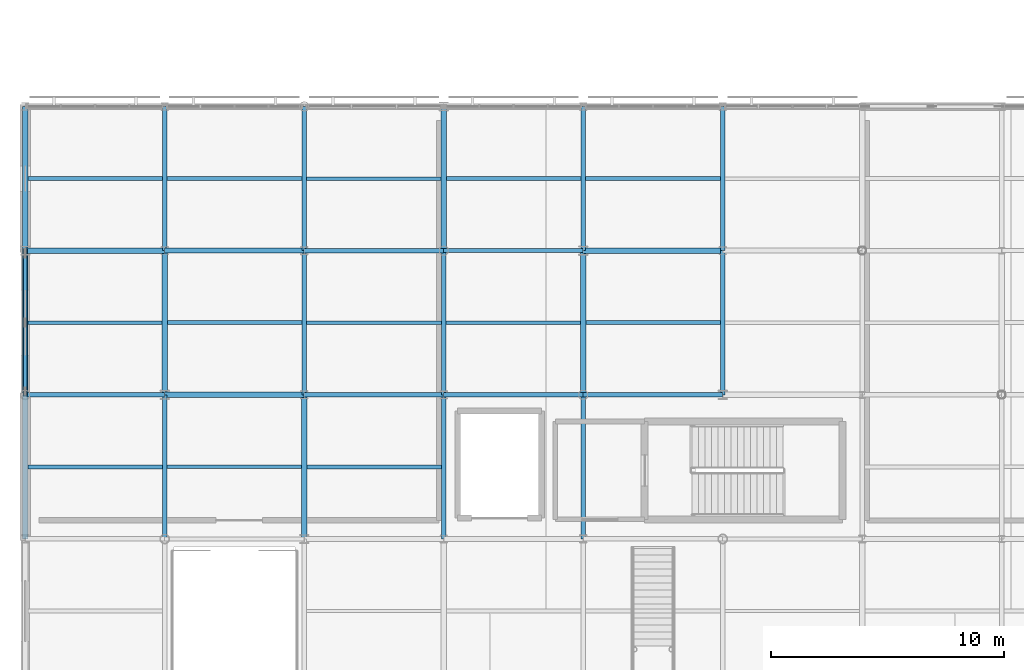
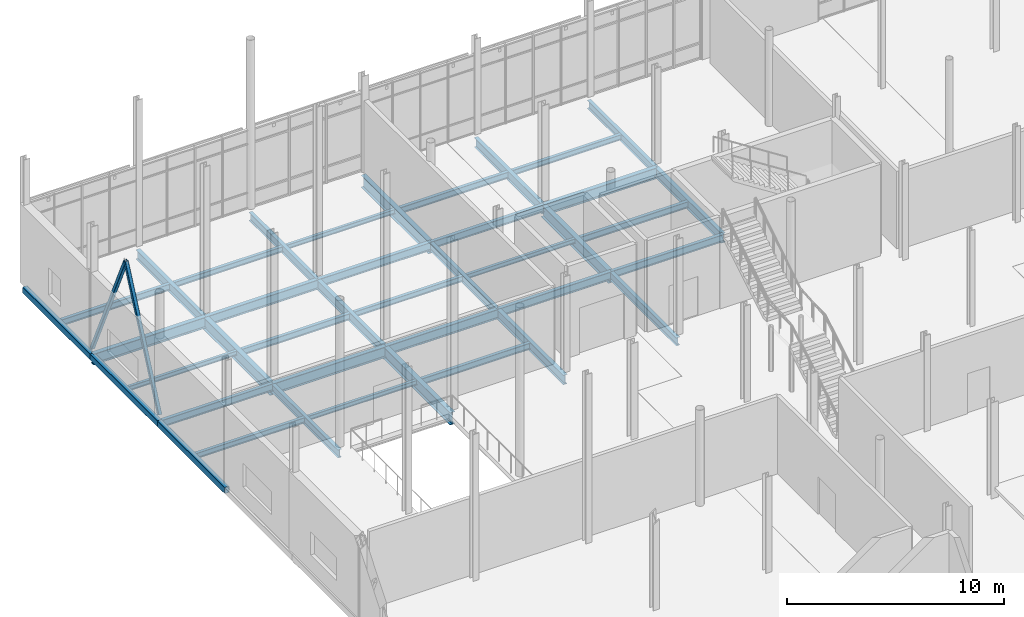
# One storey, part 33 of 105: 40 beams, 2 members.
"""IFC4 building model written with IfcOpenShell, lengths in metres."""

from ifc_helpers import new_model, si_unit, direction, frame, origin, origin_2d, place, context, subcontext, project, spatial, hollow_rectangle, i_section, extrude, material, material_profile, profile_set, type_object, element, save


model = new_model("IFC4")

# Units and contexts
model_context = context("Model", 3, precision=1e-05, world=origin(), true_north=direction((0.0, 1.0)))
body_context = subcontext(model_context, "Body", "Model", "MODEL_VIEW")
ifc_project = project(units=[si_unit("LENGTHUNIT", "METRE"), si_unit("AREAUNIT", "SQUARE_METRE"), si_unit("VOLUMEUNIT", "CUBIC_METRE"), si_unit("PLANEANGLEUNIT", "RADIAN"), si_unit("MASSUNIT", "GRAM", prefix="KILO")], contexts=[model_context])

# Site, building, storey
site_placement = place(None, origin())
site = spatial("IfcSite", under=ifc_project, at=site_placement, CompositionType="ELEMENT")
building_placement = place(site_placement, origin())
building = spatial("IfcBuilding", under=site, at=building_placement, Name="Mirzam Square Science Centre", CompositionType="ELEMENT")
storey_placement = place(building_placement, frame((0.0, 0.0, 5.39990234375)))
storey = spatial("IfcBuildingStorey", under=building, at=storey_placement, Name="L01", CompositionType="ELEMENT", Elevation=5.39990234375)

# Beams
ifc_material = material(Name="Steel S355", Category="steel")
ifc_material_profile_1 = material_profile(ifc_material, i_section(OverallWidth=0.1787109375, OverallDepth=0.409423828125, WebThickness=0.0087890625, FlangeThickness=0.014404296875, FilletRadius=0.01025390625, at=origin_2d()), Name="406x178x67UB")
ifc_profile_set_1 = profile_set([ifc_material_profile_1], Name="Steel S355")
beam_type_1 = type_object("IfcBeamType", Name="BM-UB406", PredefinedType="BEAM", material=ifc_profile_set_1)
for number, where, z_axis, x_axis, name in (
    (1, (0.0, 68.199951171875, -0.464599609375), (1.0, 0.0, 0.0), (0.0, 1.0, 0.0), "L01 girder X1-12"),
    (2, (24.0, 68.199951171875, -0.464599609375), (1.0, 0.0, 0.0), (0.0, 1.0, 0.0), "L01 girder X5-12"),
    (3, (18.0, 74.39990234375, -0.464599609375), (1.0, 0.0, 0.0), (0.0, 1.0, 0.0), "L01 girder X4-13"),
):
    element("IfcBeam", number, at=place(storey_placement, frame(where, z_axis=z_axis, x_axis=x_axis)), inside=storey, type_object=beam_type_1, Name=name, PredefinedType="BEAM", context=body_context, shape_type="SweptSolid", body=[
        extrude(i_section(OverallWidth=0.1787109375, OverallDepth=0.409423828125, WebThickness=0.0087890625, FlangeThickness=0.014404296875, FilletRadius=0.01025390625, at=origin_2d()), origin(), (0.0, 0.0, 1.0), 6.0),
    ])
ifc_material_profile_2 = material_profile(ifc_material, i_section(OverallWidth=0.19140625, OverallDepth=0.4599609375, WebThickness=0.010009765625, FlangeThickness=0.01611328125, FilletRadius=0.01025390625, at=origin_2d()), Name="457x191x82UB")
ifc_profile_set_2 = profile_set([ifc_material_profile_2], Name="Steel S355")
beam_type_2 = type_object("IfcBeamType", Name="BM-UB457", PredefinedType="BEAM", material=ifc_profile_set_2)
for number, where, z_axis, x_axis, name in (
    (4, (18.0, 68.199951171875, -0.489990234375), (1.0, 0.0, 0.0), (0.0, 1.0, 0.0), "L01 girder X4-12"),
    (5, (12.0, 74.39990234375, -0.489990234375), (1.0, 0.0, 0.0), (0.0, 1.0, 0.0), "L01 girder X3-13"),
):
    element("IfcBeam", number, at=place(storey_placement, frame(where, z_axis=z_axis, x_axis=x_axis)), inside=storey, type_object=beam_type_2, Name=name, PredefinedType="BEAM", context=body_context, shape_type="SweptSolid", body=[
        extrude(i_section(OverallWidth=0.19140625, OverallDepth=0.4599609375, WebThickness=0.010009765625, FlangeThickness=0.01611328125, FilletRadius=0.01025390625, at=origin_2d()), origin(), (0.0, 0.0, 1.0), 6.0),
    ])
beam_1_placement = place(storey_placement, frame((6.0, 62.0, -0.489990234375), z_axis=(0.0, 1.0, 0.0), x_axis=(-1.0, 0.0, 0.0)))
element("IfcBeam", 6, at=beam_1_placement, inside=storey, type_object=beam_type_2, Name="L01 girder Y2-11", PredefinedType="BEAM", context=body_context, shape_type="SweptSolid", body=[
    extrude(i_section(OverallWidth=0.19140625, OverallDepth=0.4599609375, WebThickness=0.010009765625, FlangeThickness=0.01611328125, FilletRadius=0.01025390625, at=origin_2d()), origin(), (0.0, 0.0, 1.0), 6.199951171875),
])
beam_2_placement = place(storey_placement, frame((12.0, 74.39990234375, -0.489990234375), z_axis=(0.0, 1.0, 0.0), x_axis=(-1.0, 0.0, 0.0)))
element("IfcBeam", 7, at=beam_2_placement, inside=storey, type_object=beam_type_2, Name="L01 girder Y3-13", PredefinedType="BEAM", context=body_context, shape_type="SweptSolid", body=[
    extrude(i_section(OverallWidth=0.19140625, OverallDepth=0.4599609375, WebThickness=0.010009765625, FlangeThickness=0.01611328125, FilletRadius=0.01025390625, at=origin_2d()), origin(), (0.0, 0.0, 1.0), 6.2001953125),
])
for number, where, z_axis, x_axis, name in (
    (8, (18.0, 68.199951171875, -0.489990234375), (0.0, 1.0, 0.0), (-1.0, 0.0, 0.0), "L01 girder Y4-12"),
    (9, (24.0, 62.0, -0.489990234375), (0.0, 1.0, 0.0), (-1.0, 0.0, 0.0), "L01 girder Y5-11"),
):
    element("IfcBeam", number, at=place(storey_placement, frame(where, z_axis=z_axis, x_axis=x_axis)), inside=storey, type_object=beam_type_2, Name=name, PredefinedType="BEAM", context=body_context, shape_type="SweptSolid", body=[
        extrude(i_section(OverallWidth=0.19140625, OverallDepth=0.4599609375, WebThickness=0.010009765625, FlangeThickness=0.01611328125, FilletRadius=0.01025390625, at=origin_2d()), origin(), (0.0, 0.0, 1.0), 6.199951171875),
    ])
beam_3_placement = place(storey_placement, frame((30.0, 74.39990234375, -0.489990234375), z_axis=(0.0, 1.0, 0.0), x_axis=(-1.0, 0.0, 0.0)))
element("IfcBeam", 10, at=beam_3_placement, inside=storey, type_object=beam_type_2, Name="L01 girder Y6-13", PredefinedType="BEAM", context=body_context, shape_type="SweptSolid", body=[
    extrude(i_section(OverallWidth=0.19140625, OverallDepth=0.4599609375, WebThickness=0.010009765625, FlangeThickness=0.01611328125, FilletRadius=0.01025390625, at=origin_2d()), origin(), (0.0, 0.0, 1.0), 6.2001953125),
])
ifc_material_profile_3 = material_profile(ifc_material, i_section(OverallWidth=0.2099609375, OverallDepth=0.53662109375, WebThickness=0.0107421875, FlangeThickness=0.017333984375, FilletRadius=0.0126953125, at=origin_2d()), Name="533x210x101UB")
ifc_profile_set_3 = profile_set([ifc_material_profile_3], Name="Steel S355")
beam_type_3 = type_object("IfcBeamType", Name="BM-UB533", PredefinedType="BEAM", material=ifc_profile_set_3)
for number, where, z_axis, x_axis, name in (
    (11, (12.0, 68.199951171875, -0.5283203125), (1.0, 0.0, 0.0), (0.0, 1.0, 0.0), "L01 girder X3-12"),
    (12, (6.0, 74.39990234375, -0.5283203125), (1.0, 0.0, 0.0), (0.0, 1.0, 0.0), "L01 girder X2-13"),
):
    element("IfcBeam", number, at=place(storey_placement, frame(where, z_axis=z_axis, x_axis=x_axis)), inside=storey, type_object=beam_type_3, Name=name, PredefinedType="BEAM", context=body_context, shape_type="SweptSolid", body=[
        extrude(i_section(OverallWidth=0.2099609375, OverallDepth=0.53662109375, WebThickness=0.0107421875, FlangeThickness=0.017333984375, FilletRadius=0.0126953125, at=origin_2d()), origin(), (0.0, 0.0, 1.0), 6.0),
    ])
beam_4_placement = place(storey_placement, frame((6.0, 74.39990234375, -0.5283203125), z_axis=(0.0, 1.0, 0.0), x_axis=(-1.0, 0.0, 0.0)))
element("IfcBeam", 13, at=beam_4_placement, inside=storey, type_object=beam_type_3, Name="L01 girder Y2-13", PredefinedType="BEAM", context=body_context, shape_type="SweptSolid", body=[
    extrude(i_section(OverallWidth=0.2099609375, OverallDepth=0.53662109375, WebThickness=0.0107421875, FlangeThickness=0.017333984375, FilletRadius=0.0126953125, at=origin_2d()), origin(), (0.0, 0.0, 1.0), 6.2001953125),
])
for number, where, z_axis, x_axis, name in (
    (14, (12.0, 68.199951171875, -0.5283203125), (0.0, 1.0, 0.0), (-1.0, 0.0, 0.0), "L01 girder Y3-12"),
    (15, (18.0, 62.0, -0.5283203125), (0.0, 1.0, 0.0), (-1.0, 0.0, 0.0), "L01 girder Y4-11"),
):
    element("IfcBeam", number, at=place(storey_placement, frame(where, z_axis=z_axis, x_axis=x_axis)), inside=storey, type_object=beam_type_3, Name=name, PredefinedType="BEAM", context=body_context, shape_type="SweptSolid", body=[
        extrude(i_section(OverallWidth=0.2099609375, OverallDepth=0.53662109375, WebThickness=0.0107421875, FlangeThickness=0.017333984375, FilletRadius=0.0126953125, at=origin_2d()), origin(), (0.0, 0.0, 1.0), 6.199951171875),
    ])
beam_5_placement = place(storey_placement, frame((24.0, 74.39990234375, -0.5283203125), z_axis=(0.0, 1.0, 0.0), x_axis=(-1.0, 0.0, 0.0)))
element("IfcBeam", 16, at=beam_5_placement, inside=storey, type_object=beam_type_3, Name="L01 girder Y5-13", PredefinedType="BEAM", context=body_context, shape_type="SweptSolid", body=[
    extrude(i_section(OverallWidth=0.2099609375, OverallDepth=0.53662109375, WebThickness=0.0107421875, FlangeThickness=0.017333984375, FilletRadius=0.0126953125, at=origin_2d()), origin(), (0.0, 0.0, 1.0), 6.2001953125),
])
beam_6_placement = place(storey_placement, frame((30.0, 68.199951171875, -0.5283203125), z_axis=(0.0, 1.0, 0.0), x_axis=(-1.0, 0.0, 0.0)))
element("IfcBeam", 17, at=beam_6_placement, inside=storey, type_object=beam_type_3, Name="L01 girder Y6-12", PredefinedType="BEAM", context=body_context, shape_type="SweptSolid", body=[
    extrude(i_section(OverallWidth=0.2099609375, OverallDepth=0.53662109375, WebThickness=0.0107421875, FlangeThickness=0.017333984375, FilletRadius=0.0126953125, at=origin_2d()), origin(), (0.0, 0.0, 1.0), 6.199951171875),
])
ifc_material_profile_4 = material_profile(ifc_material, i_section(OverallWidth=0.22900390625, OverallDepth=0.6123046875, WebThickness=0.011962890625, FlangeThickness=0.01953125, FilletRadius=0.0126953125, at=origin_2d()), Name="610x229x125UB")
ifc_profile_set_4 = profile_set([ifc_material_profile_4], Name="Steel S355")
beam_type_4 = type_object("IfcBeamType", Name="BM-UB610", PredefinedType="BEAM", material=ifc_profile_set_4)
for number, where, z_axis, x_axis, name in (
    (18, (6.0, 68.199951171875, -0.56591796875), (1.0, 0.0, 0.0), (0.0, 1.0, 0.0), "L01 girder X2-12"),
    (19, (0.0, 74.39990234375, -0.56591796875), (1.0, 0.0, 0.0), (0.0, 1.0, 0.0), "L01 girder X1-13"),
    (20, (24.0, 74.39990234375, -0.56591796875), (1.0, 0.0, 0.0), (0.0, 1.0, 0.0), "L01 girder X5-13"),
):
    element("IfcBeam", number, at=place(storey_placement, frame(where, z_axis=z_axis, x_axis=x_axis)), inside=storey, type_object=beam_type_4, Name=name, PredefinedType="BEAM", context=body_context, shape_type="SweptSolid", body=[
        extrude(i_section(OverallWidth=0.22900390625, OverallDepth=0.6123046875, WebThickness=0.011962890625, FlangeThickness=0.01953125, FilletRadius=0.0126953125, at=origin_2d()), origin(), (0.0, 0.0, 1.0), 6.0),
    ])
ifc_material_profile_5 = material_profile(ifc_material, i_section(OverallWidth=0.25439453125, OverallDepth=0.6875, WebThickness=0.01318359375, FlangeThickness=0.02099609375, FilletRadius=0.01513671875, at=origin_2d()), Name="686x254x152UB")
ifc_profile_set_5 = profile_set([ifc_material_profile_5], Name="Steel S355")
beam_type_5 = type_object("IfcBeamType", Name="BM-UB686", PredefinedType="BEAM", material=ifc_profile_set_5)
for number, where, z_axis, x_axis, name in (
    (21, (6.0, 68.199951171875, -0.603759765625), (0.0, 1.0, 0.0), (-1.0, 0.0, 0.0), "L01 girder Y2-12"),
    (22, (12.0, 62.0, -0.603759765625), (0.0, 1.0, 0.0), (-1.0, 0.0, 0.0), "L01 girder Y3-11"),
):
    element("IfcBeam", number, at=place(storey_placement, frame(where, z_axis=z_axis, x_axis=x_axis)), inside=storey, type_object=beam_type_5, Name=name, PredefinedType="BEAM", context=body_context, shape_type="SweptSolid", body=[
        extrude(i_section(OverallWidth=0.25439453125, OverallDepth=0.6875, WebThickness=0.01318359375, FlangeThickness=0.02099609375, FilletRadius=0.01513671875, at=origin_2d()), origin(), (0.0, 0.0, 1.0), 6.199951171875),
    ])
beam_7_placement = place(storey_placement, frame((18.0, 74.39990234375, -0.603759765625), z_axis=(0.0, 1.0, 0.0), x_axis=(-1.0, 0.0, 0.0)))
element("IfcBeam", 23, at=beam_7_placement, inside=storey, type_object=beam_type_5, Name="L01 girder Y4-13", PredefinedType="BEAM", context=body_context, shape_type="SweptSolid", body=[
    extrude(i_section(OverallWidth=0.25439453125, OverallDepth=0.6875, WebThickness=0.01318359375, FlangeThickness=0.02099609375, FilletRadius=0.01513671875, at=origin_2d()), origin(), (0.0, 0.0, 1.0), 6.2001953125),
])
beam_8_placement = place(storey_placement, frame((24.0, 68.199951171875, -0.603759765625), z_axis=(0.0, 1.0, 0.0), x_axis=(-1.0, 0.0, 0.0)))
element("IfcBeam", 24, at=beam_8_placement, inside=storey, type_object=beam_type_5, Name="L01 girder Y5-12", PredefinedType="BEAM", context=body_context, shape_type="SweptSolid", body=[
    extrude(i_section(OverallWidth=0.25439453125, OverallDepth=0.6875, WebThickness=0.01318359375, FlangeThickness=0.02099609375, FilletRadius=0.01513671875, at=origin_2d()), origin(), (0.0, 0.0, 1.0), 6.199951171875),
])

# Members
ifc_material_profile_6 = material_profile(ifc_material, hollow_rectangle(XDim=0.179931640625, YDim=0.179931640625, WallThickness=0.010009765625, InnerFilletRadius=0.010009765625, OuterFilletRadius=0.02001953125, at=origin_2d()), Name="180x180x10.0SHS")
ifc_profile_set_6 = profile_set([ifc_material_profile_6], Name="Steel S355")
member_type = type_object("IfcMemberType", Name="BR-SHS180", PredefinedType="BRACE", material=ifc_profile_set_6)
for number, where, z_axis, x_axis, name in (
    (25, (0.0, 68.199951171875, 0.050048828125), (0.0, 0.417435611906, 0.908706503725), (-1.0, 0.0, 0.0), "L01 chevron brace 2A"),
    (26, (0.0, 74.39990234375, 0.050048828125), (0.0, -0.417408465622, 0.908718973515), (1.0, 0.0, 0.0), "L01 chevron brace 2B"),
):
    element("IfcMember", number, at=place(storey_placement, frame(where, z_axis=z_axis, x_axis=x_axis)), inside=storey, type_object=member_type, Name=name, PredefinedType="BRACE", context=body_context, shape_type="SweptSolid", body=[
        extrude(hollow_rectangle(XDim=0.179931640625, YDim=0.179931640625, WallThickness=0.010009765625, InnerFilletRadius=0.010009765625, OuterFilletRadius=0.02001953125, at=origin_2d()), origin(), (0.0, 0.0, 1.0), 7.426513671875),
    ])

# Beams
ifc_material_profile_7 = material_profile(ifc_material, i_section(OverallWidth=0.146484375, OverallDepth=0.256103515625, WebThickness=0.00634765625, FlangeThickness=0.010986328125, FilletRadius=0.007568359375, at=origin_2d()), Name="254x146x37UB")
ifc_profile_set_7 = profile_set([ifc_material_profile_7], Name="Steel S355")
beam_type_6 = type_object("IfcBeamType", Name="JS-UB254", PredefinedType="JOIST", material=ifc_profile_set_7)
beam_9_placement = place(storey_placement, frame((0.125, 71.300048828125, -0.387939453125), z_axis=(1.0, 0.0, 0.0), x_axis=(0.0, 1.0, 0.0)))
element("IfcBeam", 27, at=beam_9_placement, inside=storey, type_object=beam_type_6, Name="L01 composite joist 1-12", PredefinedType="JOIST", context=body_context, shape_type="SweptSolid", body=[
    extrude(i_section(OverallWidth=0.146484375, OverallDepth=0.256103515625, WebThickness=0.00634765625, FlangeThickness=0.010986328125, FilletRadius=0.007568359375, at=origin_2d()), origin(), (0.0, 0.0, 1.0), 5.747802734375),
])
for number, where, z_axis, x_axis, name in (
    (28, (6.095703125, 65.10009765625, -0.387939453125), (1.0, 0.0, 0.0), (0.0, 1.0, 0.0), "L01 composite joist 2-11"),
    (29, (12.095703125, 77.5, -0.387939453125), (1.0, 0.0, 0.0), (0.0, 1.0, 0.0), "L01 composite joist 3-13"),
    (30, (18.095703125, 71.300048828125, -0.387939453125), (1.0, 0.0, 0.0), (0.0, 1.0, 0.0), "L01 composite joist 4-12"),
):
    element("IfcBeam", number, at=place(storey_placement, frame(where, z_axis=z_axis, x_axis=x_axis)), inside=storey, type_object=beam_type_6, Name=name, PredefinedType="JOIST", context=body_context, shape_type="SweptSolid", body=[
        extrude(i_section(OverallWidth=0.146484375, OverallDepth=0.256103515625, WebThickness=0.00634765625, FlangeThickness=0.010986328125, FilletRadius=0.007568359375, at=origin_2d()), origin(), (0.0, 0.0, 1.0), 5.777099609375),
    ])
ifc_material_profile_8 = material_profile(ifc_material, i_section(OverallWidth=0.165771484375, OverallDepth=0.306640625, WebThickness=0.006591796875, FlangeThickness=0.01171875, FilletRadius=0.0087890625, at=origin_2d()), Name="305x165x46UB")
ifc_profile_set_8 = profile_set([ifc_material_profile_8], Name="Steel S355")
beam_type_7 = type_object("IfcBeamType", Name="JS-UB305", PredefinedType="JOIST", material=ifc_profile_set_8)
beam_10_placement = place(storey_placement, frame((0.125, 65.10009765625, -0.4130859375), z_axis=(1.0, 0.0, 0.0), x_axis=(0.0, 1.0, 0.0)))
element("IfcBeam", 31, at=beam_10_placement, inside=storey, type_object=beam_type_7, Name="L01 composite joist 1-11", PredefinedType="JOIST", context=body_context, shape_type="SweptSolid", body=[
    extrude(i_section(OverallWidth=0.165771484375, OverallDepth=0.306640625, WebThickness=0.006591796875, FlangeThickness=0.01171875, FilletRadius=0.0087890625, at=origin_2d()), origin(), (0.0, 0.0, 1.0), 5.779296875),
])
for number, where, z_axis, x_axis, name in (
    (32, (6.10498046875, 77.5, -0.4130859375), (1.0, 0.0, 0.0), (0.0, 1.0, 0.0), "L01 composite joist 2-13"),
    (33, (12.10498046875, 71.300048828125, -0.4130859375), (1.0, 0.0, 0.0), (0.0, 1.0, 0.0), "L01 composite joist 3-12"),
    (34, (24.10498046875, 77.5, -0.4130859375), (1.0, 0.0, 0.0), (0.0, 1.0, 0.0), "L01 composite joist 5-13"),
):
    element("IfcBeam", number, at=place(storey_placement, frame(where, z_axis=z_axis, x_axis=x_axis)), inside=storey, type_object=beam_type_7, Name=name, PredefinedType="JOIST", context=body_context, shape_type="SweptSolid", body=[
        extrude(i_section(OverallWidth=0.165771484375, OverallDepth=0.306640625, WebThickness=0.006591796875, FlangeThickness=0.01171875, FilletRadius=0.0087890625, at=origin_2d()), origin(), (0.0, 0.0, 1.0), 5.79931640625),
    ])
ifc_material_profile_9 = material_profile(ifc_material, i_section(OverallWidth=0.172119140625, OverallDepth=0.35791015625, WebThickness=0.008056640625, FlangeThickness=0.012939453125, FilletRadius=0.01025390625, at=origin_2d()), Name="356x171x57UB")
ifc_profile_set_9 = profile_set([ifc_material_profile_9], Name="Steel S355")
beam_type_8 = type_object("IfcBeamType", Name="JS-UB356", PredefinedType="JOIST", material=ifc_profile_set_9)
beam_11_placement = place(storey_placement, frame((0.125, 77.5, -0.43896484375), z_axis=(1.0, 0.0, 0.0), x_axis=(0.0, 1.0, 0.0)))
element("IfcBeam", 35, at=beam_11_placement, inside=storey, type_object=beam_type_8, Name="L01 composite joist 1-13", PredefinedType="JOIST", context=body_context, shape_type="SweptSolid", body=[
    extrude(i_section(OverallWidth=0.172119140625, OverallDepth=0.35791015625, WebThickness=0.008056640625, FlangeThickness=0.012939453125, FilletRadius=0.01025390625, at=origin_2d()), origin(), (0.0, 0.0, 1.0), 5.77001953125),
])
for number, where, z_axis, x_axis, name in (
    (36, (6.127197265625, 71.300048828125, -0.43896484375), (1.0, 0.0, 0.0), (0.0, 1.0, 0.0), "L01 composite joist 2-12"),
    (37, (12.127197265625, 65.10009765625, -0.43896484375), (1.0, 0.0, 0.0), (0.0, 1.0, 0.0), "L01 composite joist 3-11"),
    (38, (18.127197265625, 77.5, -0.43896484375), (1.0, 0.0, 0.0), (0.0, 1.0, 0.0), "L01 composite joist 4-13"),
    (39, (24.127197265625, 71.300048828125, -0.43896484375), (1.0, 0.0, 0.0), (0.0, 1.0, 0.0), "L01 composite joist 5-12"),
):
    element("IfcBeam", number, at=place(storey_placement, frame(where, z_axis=z_axis, x_axis=x_axis)), inside=storey, type_object=beam_type_8, Name=name, PredefinedType="JOIST", context=body_context, shape_type="SweptSolid", body=[
        extrude(i_section(OverallWidth=0.172119140625, OverallDepth=0.35791015625, WebThickness=0.008056640625, FlangeThickness=0.012939453125, FilletRadius=0.01025390625, at=origin_2d()), origin(), (0.0, 0.0, 1.0), 5.767822265625),
    ])
ifc_material_profile_10 = material_profile(ifc_material, hollow_rectangle(XDim=0.25, YDim=0.35009765625, WallThickness=0.012451171875, InnerFilletRadius=0.012451171875, OuterFilletRadius=0.02490234375, at=origin_2d()), Name="350x250x12.5RHS")
ifc_profile_set_10 = profile_set([ifc_material_profile_10], Name="Steel S355")
beam_type_9 = type_object("IfcBeamType", Name="SP-RHS350", PredefinedType="SPANDREL", material=ifc_profile_set_10)
for number, where, z_axis, x_axis, name in (
    (40, (0.0, 62.0, -0.434814453125), (0.0, 1.0, 0.0), (-1.0, 0.0, 0.0), "L01 girder Y1-11"),
    (41, (0.0, 68.199951171875, -0.434814453125), (0.0, 1.0, 0.0), (-1.0, 0.0, 0.0), "L01 girder Y1-12"),
):
    element("IfcBeam", number, at=place(storey_placement, frame(where, z_axis=z_axis, x_axis=x_axis)), inside=storey, type_object=beam_type_9, Name=name, PredefinedType="SPANDREL", context=body_context, shape_type="SweptSolid", body=[
        extrude(hollow_rectangle(XDim=0.25, YDim=0.35009765625, WallThickness=0.012451171875, InnerFilletRadius=0.012451171875, OuterFilletRadius=0.02490234375, at=origin_2d()), origin(), (0.0, 0.0, 1.0), 6.199951171875),
    ])
beam_12_placement = place(storey_placement, frame((0.0, 74.39990234375, -0.434814453125), z_axis=(0.0, 1.0, 0.0), x_axis=(-1.0, 0.0, 0.0)))
element("IfcBeam", 42, at=beam_12_placement, inside=storey, type_object=beam_type_9, Name="L01 girder Y1-13", PredefinedType="SPANDREL", context=body_context, shape_type="SweptSolid", body=[
    extrude(hollow_rectangle(XDim=0.25, YDim=0.35009765625, WallThickness=0.012451171875, InnerFilletRadius=0.012451171875, OuterFilletRadius=0.02490234375, at=origin_2d()), origin(), (0.0, 0.0, 1.0), 6.2001953125),
])

save(model, "model.ifc")
